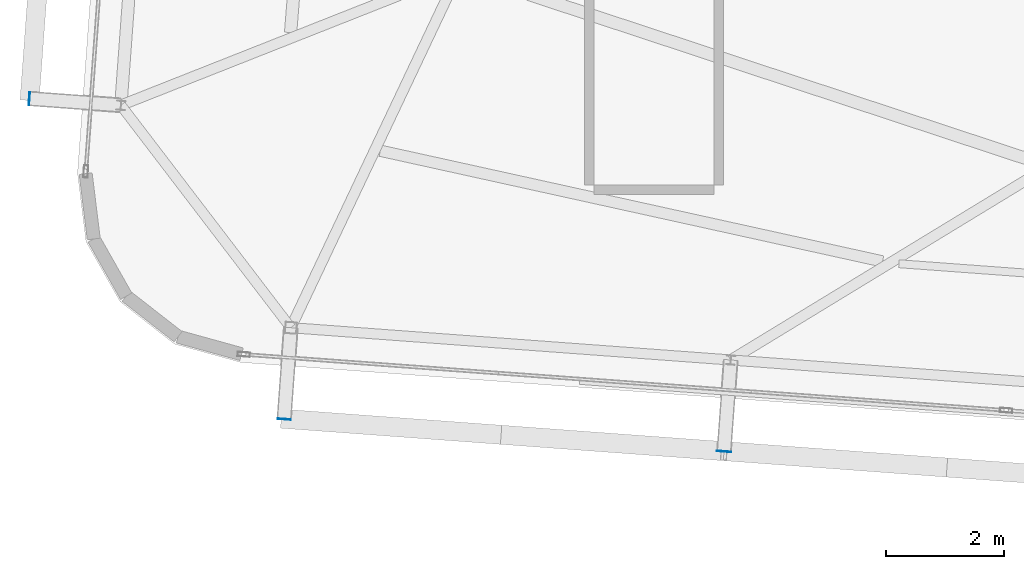
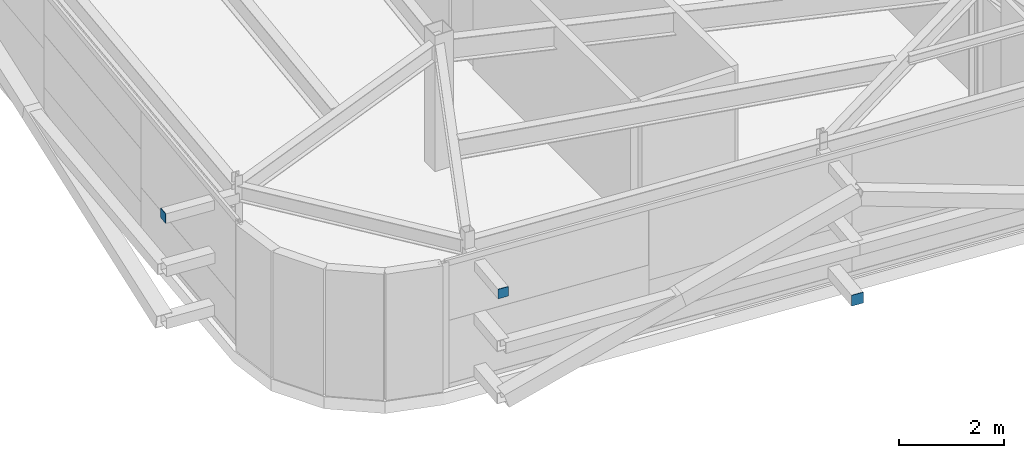
# One storey, part 24 of 35: 3 plates.
"""IFC4 building model written with IfcOpenShell, lengths in metres."""

from ifc_helpers import new_model, si_unit, direction, frame, origin, origin_2d, place, context, subcontext, project, spatial, rectangle, extrude, source, transform, mapped, material, layer, layer_set, type_object, element, save


model = new_model("IFC4")

# Units and contexts
model_context = context("Model", 3, precision=1e-05, world=origin(), true_north=direction((0.0, 1.0)))
body_context = subcontext(model_context, "Body", "Model", "MODEL_VIEW")
ifc_project = project(units=[si_unit("LENGTHUNIT", "METRE"), si_unit("AREAUNIT", "SQUARE_METRE"), si_unit("VOLUMEUNIT", "CUBIC_METRE"), si_unit("PLANEANGLEUNIT", "RADIAN"), si_unit("MASSUNIT", "GRAM", prefix="KILO")], contexts=[model_context])

# Site, building, storey
site_placement = place(None, origin())
site = spatial("IfcSite", under=ifc_project, at=site_placement, CompositionType="ELEMENT")
building_placement = place(site_placement, origin())
building = spatial("IfcBuilding", under=site, at=building_placement, Name="Taldren Reach Tower", CompositionType="ELEMENT")
storey_placement = place(building_placement, frame((0.0, 0.0, 236.60009765625)))
storey = spatial("IfcBuildingStorey", under=building, at=storey_placement, Name="L72", CompositionType="ELEMENT", Elevation=236.60009765625)

# Plates
ifc_material_1 = material(Name="Steel Gr 350 (C350L0)", Category="steel")
ifc_layer_1 = layer(ifc_material_1, 0.011962890625)
ifc_layer_set_1 = layer_set([ifc_layer_1], Name="Steel Gr 350 (C350L0)")
plate_type_1 = type_object("IfcPlateType", Name="PL-CAP-250", PredefinedType="SHEET", material=ifc_layer_set_1)
shared_shape_1 = source(origin(), body_context, "Body", "SweptSolid", [
    extrude(rectangle(XDim=0.25, YDim=0.011962890625, at=origin_2d()), origin(), (0.0, 0.0, 1.0), 0.25),
])
plate_1_placement = place(storey_placement, frame((22.486572265625, 4.360595703125, 0.094970703125), z_axis=(0.0, 0.0, 1.0), x_axis=(0.997314477224, -0.073238197128, 0.0)))
element("IfcPlate", 1, at=plate_1_placement, inside=storey, type_object=plate_type_1, Name="Tie strut end cap plate B5-S2 L72", PredefinedType="SHEET", context=body_context, shape_type="MappedRepresentation", body=[
    mapped(shared_shape_1, transform((0.0, 0.0, 0.0), scale=1.0)),
])
ifc_material_2 = material(Name="Steel Gr 450 (C450L0)", Category="steel")
ifc_layer_2 = layer(ifc_material_2, 0.011962890625)
ifc_layer_set_2 = layer_set([ifc_layer_2], Name="Steel Gr 450 (C450L0)")
plate_type_2 = type_object("IfcPlateType", Name="PL-CAP-220", PredefinedType="SHEET", material=ifc_layer_set_2)
shared_shape_2 = source(origin(), body_context, "Body", "SweptSolid", [
    extrude(rectangle(XDim=0.219970703125, YDim=0.011962890625, at=origin_2d()), origin(), (0.0, 0.0, 1.0), 0.219970703125),
])
plate_2_placement = place(storey_placement, frame((15.026611328125, 4.908447265625, 2.5400390625), z_axis=(0.0, 0.0, 1.0), x_axis=(0.997314477224, -0.073238197128, 0.0)))
element("IfcPlate", 2, at=plate_2_placement, inside=storey, type_object=plate_type_2, Name="Tie strut end cap plate B5-S1 L72", PredefinedType="SHEET", context=body_context, shape_type="MappedRepresentation", body=[
    mapped(shared_shape_2, transform((0.0, 0.0, 0.0), scale=1.0)),
])
shared_shape_3 = source(origin(), body_context, "Body", "SweptSolid", [
    extrude(rectangle(XDim=0.011962890625, YDim=0.219970703125, at=origin_2d()), origin(), (0.0, 0.0, 1.0), 0.219970703125),
])
plate_3_placement = place(storey_placement, frame((10.707275390625, 10.345458984375, 2.5400390625), z_axis=(0.0, 0.0, 1.0), x_axis=(0.997314477224, -0.073238197128, 0.0)))
element("IfcPlate", 3, at=plate_3_placement, inside=storey, type_object=plate_type_2, Name="Tie strut end cap plate B5-W1 L72", PredefinedType="SHEET", context=body_context, shape_type="MappedRepresentation", body=[
    mapped(shared_shape_3, transform((0.0, 0.0, 0.0), scale=1.0)),
])

save(model, "model.ifc")
